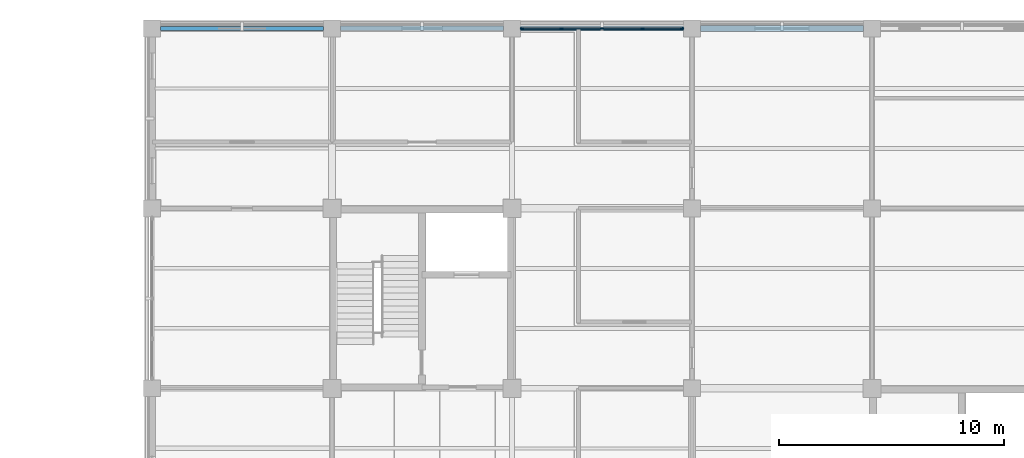
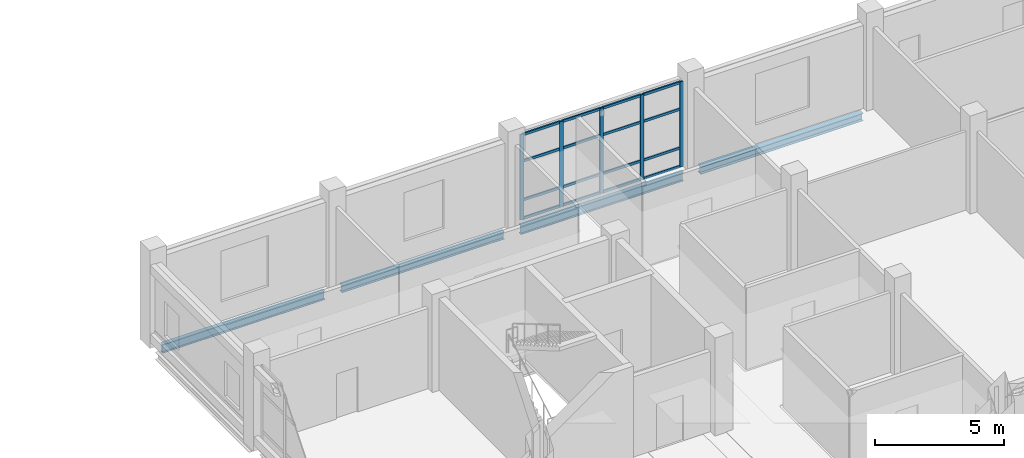
# One storey, part 57 of 121: 21 members, 4 beams, 1 element without a shape of its own.
"""IFC4 building model written with IfcOpenShell, lengths in metres."""

from ifc_helpers import new_model, si_unit, derived_unit, direction, frame, origin, origin_2d, place, context, subcontext, project, spatial, rectangle, i_section, extrude, material, layer, layer_set, material_profile, profile_set, type_object, element, aggregate, save


model = new_model("IFC4")

# Units and contexts
model_context = context("Model", 3, precision=1e-05, world=origin(), true_north=direction((0.0, 1.0)))
body_context = subcontext(model_context, "Body", "Model", "MODEL_VIEW")
ifc_project = project(units=[si_unit("LENGTHUNIT", "METRE"), si_unit("AREAUNIT", "SQUARE_METRE"), si_unit("VOLUMEUNIT", "CUBIC_METRE"), si_unit("PLANEANGLEUNIT", "RADIAN"), si_unit("MASSUNIT", "GRAM", prefix="KILO"), derived_unit("THERMALTRANSMITTANCEUNIT", [(si_unit("MASSUNIT", "GRAM", prefix="KILO"), 1), (si_unit("TIMEUNIT", "SECOND"), -3), (si_unit("THERMODYNAMICTEMPERATUREUNIT", "KELVIN"), -1)])], contexts=[model_context])

# Site, building, storey
site_placement = place(None, origin())
site = spatial("IfcSite", under=ifc_project, at=site_placement, CompositionType="ELEMENT")
building_placement = place(site_placement, origin())
building = spatial("IfcBuilding", under=site, at=building_placement, Name="Veyamyaing Civic Hall", CompositionType="ELEMENT")
storey_placement = place(building_placement, frame((0.0, 0.0, 5.280029296875)))
storey = spatial("IfcBuildingStorey", under=building, at=storey_placement, Name="L01", CompositionType="ELEMENT", Elevation=5.280029296875)

# Beams
ifc_material_1 = material(Name="Steel ASTM A992", Category="steel")
ifc_material_profile_1 = material_profile(ifc_material_1, i_section(OverallWidth=0.179931640625, OverallDepth=0.4130859375, WebThickness=0.009765625, FlangeThickness=0.01611328125, FilletRadius=0.010009765625, at=origin_2d()), Name="W410X74")
ifc_profile_set_1 = profile_set([ifc_material_profile_1], Name="Steel ASTM A992")
beam_type_1 = type_object("IfcBeamType", Name="B-10", PredefinedType="SPANDREL", material=ifc_profile_set_1)
beam_1_placement = place(storey_placement, frame((128.375, 112.0, -0.451416015625), z_axis=(1.0, 0.0, 0.0), x_axis=(0.0, 1.0, 0.0)))
element("IfcBeam", 1, at=beam_1_placement, inside=storey, type_object=beam_type_1, Name="Girder B-10 L01 Grid Q 17-18", PredefinedType="SPANDREL", context=body_context, shape_type="SweptSolid", body=[
    extrude(i_section(OverallWidth=0.179931640625, OverallDepth=0.4130859375, WebThickness=0.009765625, FlangeThickness=0.01611328125, FilletRadius=0.010009765625, at=origin_2d()), origin(), (0.0, 0.0, 1.0), 7.25),
])
ifc_material_profile_2 = material_profile(ifc_material_1, i_section(OverallWidth=0.2041015625, OverallDepth=0.35009765625, WebThickness=0.0078125, FlangeThickness=0.01513671875, FilletRadius=0.010009765625, at=origin_2d()), Name="W360X72")
ifc_profile_set_2 = profile_set([ifc_material_profile_2], Name="Steel ASTM A992")
beam_type_2 = type_object("IfcBeamType", Name="B-11", PredefinedType="SPANDREL", material=ifc_profile_set_2)
beam_2_placement = place(storey_placement, frame((136.375, 112.0, -0.419921875), z_axis=(1.0, 0.0, 0.0), x_axis=(0.0, 1.0, 0.0)))
element("IfcBeam", 2, at=beam_2_placement, inside=storey, type_object=beam_type_2, Name="Girder B-11 L01 Grid Q 18-19", PredefinedType="SPANDREL", context=body_context, shape_type="SweptSolid", body=[
    extrude(i_section(OverallWidth=0.2041015625, OverallDepth=0.35009765625, WebThickness=0.0078125, FlangeThickness=0.01513671875, FilletRadius=0.010009765625, at=origin_2d()), origin(), (0.0, 0.0, 1.0), 7.25),
])
ifc_material_profile_3 = material_profile(ifc_material_1, i_section(OverallWidth=0.180908203125, OverallDepth=0.4169921875, WebThickness=0.010986328125, FlangeThickness=0.018310546875, FilletRadius=0.010009765625, at=origin_2d()), Name="W410X85")
ifc_profile_set_3 = profile_set([ifc_material_profile_3], Name="Steel ASTM A992")
beam_type_3 = type_object("IfcBeamType", Name="B-19", PredefinedType="SPANDREL", material=ifc_profile_set_3)
beam_3_placement = place(storey_placement, frame((144.375, 112.0, -0.45361328125), z_axis=(1.0, 0.0, 0.0), x_axis=(0.0, 1.0, 0.0)))
element("IfcBeam", 3, at=beam_3_placement, inside=storey, type_object=beam_type_3, Name="Girder B-19 L01 Grid Q 19-20", PredefinedType="SPANDREL", context=body_context, shape_type="SweptSolid", body=[
    extrude(i_section(OverallWidth=0.180908203125, OverallDepth=0.4169921875, WebThickness=0.010986328125, FlangeThickness=0.018310546875, FilletRadius=0.010009765625, at=origin_2d()), origin(), (0.0, 0.0, 1.0), 7.25),
])
ifc_material_profile_4 = material_profile(ifc_material_1, i_section(OverallWidth=0.25390625, OverallDepth=0.35302734375, WebThickness=0.009521484375, FlangeThickness=0.016357421875, FilletRadius=0.011962890625, at=origin_2d()), Name="W360X91")
ifc_profile_set_4 = profile_set([ifc_material_profile_4], Name="Steel ASTM A992")
beam_type_4 = type_object("IfcBeamType", Name="B-20", PredefinedType="SPANDREL", material=ifc_profile_set_4)
beam_4_placement = place(storey_placement, frame((152.375, 112.0, -0.421630859375), z_axis=(1.0, 0.0, 0.0), x_axis=(0.0, 1.0, 0.0)))
element("IfcBeam", 4, at=beam_4_placement, inside=storey, type_object=beam_type_4, Name="Girder B-20 L01 Grid Q 20-21", PredefinedType="SPANDREL", context=body_context, shape_type="SweptSolid", body=[
    extrude(i_section(OverallWidth=0.25390625, OverallDepth=0.35302734375, WebThickness=0.009521484375, FlangeThickness=0.016357421875, FilletRadius=0.011962890625, at=origin_2d()), origin(), (0.0, 0.0, 1.0), 7.25),
])

# Curtain wall, members
ifc_material_2 = material(Name="Anodised aluminium 6063-T6", Category="aluminium")
ifc_layer = layer(ifc_material_2, 0.159912109375, Name="Anodised aluminium 6063-T6")
ifc_layer_set = layer_set([ifc_layer], Name="Anodised aluminium 6063-T6")
curtain_wall_type = type_object("IfcCurtainWallType", Name="CW-02", PredefinedType="NOTDEFINED", material=ifc_layer_set)
curtain_wall_placement = place(storey_placement, origin())
curtain_wall = element("IfcCurtainWall", 5, at=curtain_wall_placement, inside=storey, type_object=curtain_wall_type, Name="Unitized curtain wall CW-02 L01 N 19.14", PredefinedType="NOTDEFINED")
ifc_material_profile_5 = material_profile(ifc_material_2, rectangle(XDim=0.06494140625, YDim=0.159912109375, at=origin_2d()), Name="ALU-MUL-65X160")
ifc_profile_set_5 = profile_set([ifc_material_profile_5], Name="Anodised aluminium 6063-T6")
member_type_1 = type_object("IfcMemberType", Name="CWM-01", PredefinedType="MULLION", material=ifc_profile_set_5)
member_1_placement = place(storey_placement, frame((144.4375, 112.0, 0.0), z_axis=(0.0, 0.0, 1.0), x_axis=(0.0, 1.0, 0.0)))
member_1 = element("IfcMember", 6, at=member_1_placement, type_object=member_type_1, Name="CW-02 mullion 1", PredefinedType="MULLION", context=body_context, shape_type="SweptSolid", body=[
    extrude(rectangle(XDim=0.06494140625, YDim=0.159912109375, at=origin_2d()), origin(), (0.0, 0.0, 1.0), 4.01904296875),
])
member_2_placement = place(storey_placement, frame((146.202392578125, 112.0, 0.0), z_axis=(0.0, 0.0, 1.0), x_axis=(0.0, 1.0, 0.0)))
member_2 = element("IfcMember", 7, at=member_2_placement, type_object=member_type_1, Name="CW-02 mullion 2", PredefinedType="MULLION", context=body_context, shape_type="SweptSolid", body=[
    extrude(rectangle(XDim=0.06494140625, YDim=0.159912109375, at=origin_2d()), origin(), (0.0, 0.0, 1.0), 4.01904296875),
])
member_3_placement = place(storey_placement, frame((148.0, 112.0, 0.0), z_axis=(0.0, 0.0, 1.0), x_axis=(0.0, 1.0, 0.0)))
member_3 = element("IfcMember", 8, at=member_3_placement, type_object=member_type_1, Name="CW-02 mullion 3", PredefinedType="MULLION", context=body_context, shape_type="SweptSolid", body=[
    extrude(rectangle(XDim=0.06494140625, YDim=0.159912109375, at=origin_2d()), origin(), (0.0, 0.0, 1.0), 4.01904296875),
])
member_4_placement = place(storey_placement, frame((149.797607421875, 112.0, 0.0), z_axis=(0.0, 0.0, 1.0), x_axis=(0.0, 1.0, 0.0)))
member_4 = element("IfcMember", 9, at=member_4_placement, type_object=member_type_1, Name="CW-02 mullion 4", PredefinedType="MULLION", context=body_context, shape_type="SweptSolid", body=[
    extrude(rectangle(XDim=0.06494140625, YDim=0.159912109375, at=origin_2d()), origin(), (0.0, 0.0, 1.0), 4.01904296875),
])
member_5_placement = place(storey_placement, frame((151.5625, 112.0, 0.0), z_axis=(0.0, 0.0, 1.0), x_axis=(0.0, 1.0, 0.0)))
member_5 = element("IfcMember", 10, at=member_5_placement, type_object=member_type_1, Name="CW-02 mullion 5", PredefinedType="MULLION", context=body_context, shape_type="SweptSolid", body=[
    extrude(rectangle(XDim=0.06494140625, YDim=0.159912109375, at=origin_2d()), origin(), (0.0, 0.0, 1.0), 4.01904296875),
])
ifc_material_profile_6 = material_profile(ifc_material_2, rectangle(XDim=0.06494140625, YDim=0.1201171875, at=origin_2d()), Name="ALU-TRN-65X120")
ifc_profile_set_6 = profile_set([ifc_material_profile_6], Name="Anodised aluminium 6063-T6")
member_type_2 = type_object("IfcMemberType", Name="CWT-01", PredefinedType="USERDEFINED", material=ifc_profile_set_6)
member_6_placement = place(storey_placement, frame((144.469970703125, 112.0, 0.032470703125), z_axis=(1.0, 0.0, 0.0), x_axis=(0.0, 1.0, 0.0)))
member_6 = element("IfcMember", 11, at=member_6_placement, type_object=member_type_2, Name="CW-02 transom 1.1", ObjectType="TRANSOM", PredefinedType="USERDEFINED", context=body_context, shape_type="SweptSolid", body=[
    extrude(rectangle(XDim=0.06494140625, YDim=0.1201171875, at=origin_2d()), origin(), (0.0, 0.0, 1.0), 1.699951171875),
])
member_7_placement = place(storey_placement, frame((144.469970703125, 112.0, 0.89990234375), z_axis=(1.0, 0.0, 0.0), x_axis=(0.0, 1.0, 0.0)))
member_7 = element("IfcMember", 12, at=member_7_placement, type_object=member_type_2, Name="CW-02 transom 1.2", ObjectType="TRANSOM", PredefinedType="USERDEFINED", context=body_context, shape_type="SweptSolid", body=[
    extrude(rectangle(XDim=0.06494140625, YDim=0.1201171875, at=origin_2d()), origin(), (0.0, 0.0, 1.0), 1.699951171875),
])
member_8_placement = place(storey_placement, frame((144.469970703125, 112.0, 2.73291015625), z_axis=(1.0, 0.0, 0.0), x_axis=(0.0, 1.0, 0.0)))
member_8 = element("IfcMember", 13, at=member_8_placement, type_object=member_type_2, Name="CW-02 transom 1.3", ObjectType="TRANSOM", PredefinedType="USERDEFINED", context=body_context, shape_type="SweptSolid", body=[
    extrude(rectangle(XDim=0.06494140625, YDim=0.1201171875, at=origin_2d()), origin(), (0.0, 0.0, 1.0), 1.699951171875),
])
member_9_placement = place(storey_placement, frame((144.469970703125, 112.0, 3.986572265625), z_axis=(1.0, 0.0, 0.0), x_axis=(0.0, 1.0, 0.0)))
member_9 = element("IfcMember", 14, at=member_9_placement, type_object=member_type_2, Name="CW-02 transom 1.4", ObjectType="TRANSOM", PredefinedType="USERDEFINED", context=body_context, shape_type="SweptSolid", body=[
    extrude(rectangle(XDim=0.06494140625, YDim=0.1201171875, at=origin_2d()), origin(), (0.0, 0.0, 1.0), 1.699951171875),
])
member_10_placement = place(storey_placement, frame((146.235107421875, 112.0, 0.032470703125), z_axis=(1.0, 0.0, 0.0), x_axis=(0.0, 1.0, 0.0)))
member_10 = element("IfcMember", 15, at=member_10_placement, type_object=member_type_2, Name="CW-02 transom 2.1", ObjectType="TRANSOM", PredefinedType="USERDEFINED", context=body_context, shape_type="SweptSolid", body=[
    extrude(rectangle(XDim=0.06494140625, YDim=0.1201171875, at=origin_2d()), origin(), (0.0, 0.0, 1.0), 1.732421875),
])
member_11_placement = place(storey_placement, frame((146.235107421875, 112.0, 0.89990234375), z_axis=(1.0, 0.0, 0.0), x_axis=(0.0, 1.0, 0.0)))
member_11 = element("IfcMember", 16, at=member_11_placement, type_object=member_type_2, Name="CW-02 transom 2.2", ObjectType="TRANSOM", PredefinedType="USERDEFINED", context=body_context, shape_type="SweptSolid", body=[
    extrude(rectangle(XDim=0.06494140625, YDim=0.1201171875, at=origin_2d()), origin(), (0.0, 0.0, 1.0), 1.732421875),
])
member_12_placement = place(storey_placement, frame((146.235107421875, 112.0, 2.73291015625), z_axis=(1.0, 0.0, 0.0), x_axis=(0.0, 1.0, 0.0)))
member_12 = element("IfcMember", 17, at=member_12_placement, type_object=member_type_2, Name="CW-02 transom 2.3", ObjectType="TRANSOM", PredefinedType="USERDEFINED", context=body_context, shape_type="SweptSolid", body=[
    extrude(rectangle(XDim=0.06494140625, YDim=0.1201171875, at=origin_2d()), origin(), (0.0, 0.0, 1.0), 1.732421875),
])
member_13_placement = place(storey_placement, frame((146.235107421875, 112.0, 3.986572265625), z_axis=(1.0, 0.0, 0.0), x_axis=(0.0, 1.0, 0.0)))
member_13 = element("IfcMember", 18, at=member_13_placement, type_object=member_type_2, Name="CW-02 transom 2.4", ObjectType="TRANSOM", PredefinedType="USERDEFINED", context=body_context, shape_type="SweptSolid", body=[
    extrude(rectangle(XDim=0.06494140625, YDim=0.1201171875, at=origin_2d()), origin(), (0.0, 0.0, 1.0), 1.732421875),
])
member_14_placement = place(storey_placement, frame((148.032470703125, 112.0, 0.032470703125), z_axis=(1.0, 0.0, 0.0), x_axis=(0.0, 1.0, 0.0)))
member_14 = element("IfcMember", 19, at=member_14_placement, type_object=member_type_2, Name="CW-02 transom 3.1", ObjectType="TRANSOM", PredefinedType="USERDEFINED", context=body_context, shape_type="SweptSolid", body=[
    extrude(rectangle(XDim=0.06494140625, YDim=0.1201171875, at=origin_2d()), origin(), (0.0, 0.0, 1.0), 1.732421875),
])
member_15_placement = place(storey_placement, frame((148.032470703125, 112.0, 0.89990234375), z_axis=(1.0, 0.0, 0.0), x_axis=(0.0, 1.0, 0.0)))
member_15 = element("IfcMember", 20, at=member_15_placement, type_object=member_type_2, Name="CW-02 transom 3.2", ObjectType="TRANSOM", PredefinedType="USERDEFINED", context=body_context, shape_type="SweptSolid", body=[
    extrude(rectangle(XDim=0.06494140625, YDim=0.1201171875, at=origin_2d()), origin(), (0.0, 0.0, 1.0), 1.732421875),
])
member_16_placement = place(storey_placement, frame((148.032470703125, 112.0, 2.73291015625), z_axis=(1.0, 0.0, 0.0), x_axis=(0.0, 1.0, 0.0)))
member_16 = element("IfcMember", 21, at=member_16_placement, type_object=member_type_2, Name="CW-02 transom 3.3", ObjectType="TRANSOM", PredefinedType="USERDEFINED", context=body_context, shape_type="SweptSolid", body=[
    extrude(rectangle(XDim=0.06494140625, YDim=0.1201171875, at=origin_2d()), origin(), (0.0, 0.0, 1.0), 1.732421875),
])
member_17_placement = place(storey_placement, frame((148.032470703125, 112.0, 3.986572265625), z_axis=(1.0, 0.0, 0.0), x_axis=(0.0, 1.0, 0.0)))
member_17 = element("IfcMember", 22, at=member_17_placement, type_object=member_type_2, Name="CW-02 transom 3.4", ObjectType="TRANSOM", PredefinedType="USERDEFINED", context=body_context, shape_type="SweptSolid", body=[
    extrude(rectangle(XDim=0.06494140625, YDim=0.1201171875, at=origin_2d()), origin(), (0.0, 0.0, 1.0), 1.732421875),
])
member_18_placement = place(storey_placement, frame((149.830078125, 112.0, 0.032470703125), z_axis=(1.0, 0.0, 0.0), x_axis=(0.0, 1.0, 0.0)))
member_18 = element("IfcMember", 23, at=member_18_placement, type_object=member_type_2, Name="CW-02 transom 4.1", ObjectType="TRANSOM", PredefinedType="USERDEFINED", context=body_context, shape_type="SweptSolid", body=[
    extrude(rectangle(XDim=0.06494140625, YDim=0.1201171875, at=origin_2d()), origin(), (0.0, 0.0, 1.0), 1.699951171875),
])
member_19_placement = place(storey_placement, frame((149.830078125, 112.0, 0.89990234375), z_axis=(1.0, 0.0, 0.0), x_axis=(0.0, 1.0, 0.0)))
member_19 = element("IfcMember", 24, at=member_19_placement, type_object=member_type_2, Name="CW-02 transom 4.2", ObjectType="TRANSOM", PredefinedType="USERDEFINED", context=body_context, shape_type="SweptSolid", body=[
    extrude(rectangle(XDim=0.06494140625, YDim=0.1201171875, at=origin_2d()), origin(), (0.0, 0.0, 1.0), 1.699951171875),
])
member_20_placement = place(storey_placement, frame((149.830078125, 112.0, 2.73291015625), z_axis=(1.0, 0.0, 0.0), x_axis=(0.0, 1.0, 0.0)))
member_20 = element("IfcMember", 25, at=member_20_placement, type_object=member_type_2, Name="CW-02 transom 4.3", ObjectType="TRANSOM", PredefinedType="USERDEFINED", context=body_context, shape_type="SweptSolid", body=[
    extrude(rectangle(XDim=0.06494140625, YDim=0.1201171875, at=origin_2d()), origin(), (0.0, 0.0, 1.0), 1.699951171875),
])
member_21_placement = place(storey_placement, frame((149.830078125, 112.0, 3.986572265625), z_axis=(1.0, 0.0, 0.0), x_axis=(0.0, 1.0, 0.0)))
member_21 = element("IfcMember", 26, at=member_21_placement, type_object=member_type_2, Name="CW-02 transom 4.4", ObjectType="TRANSOM", PredefinedType="USERDEFINED", context=body_context, shape_type="SweptSolid", body=[
    extrude(rectangle(XDim=0.06494140625, YDim=0.1201171875, at=origin_2d()), origin(), (0.0, 0.0, 1.0), 1.699951171875),
])
aggregate(curtain_wall, [member_1, member_2, member_3, member_4, member_5, member_6, member_7, member_8, member_9, member_10, member_11, member_12, member_13, member_14, member_15, member_16, member_17, member_18, member_19, member_20, member_21])

save(model, "model.ifc")
